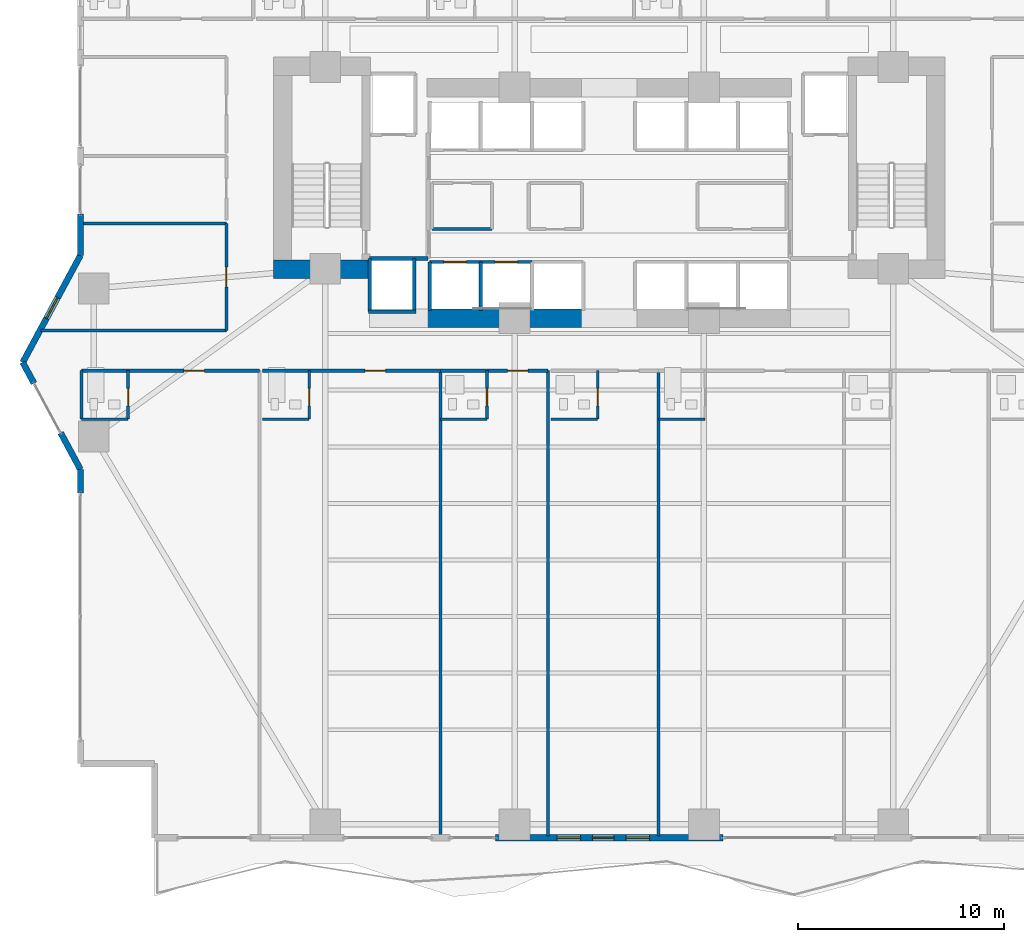
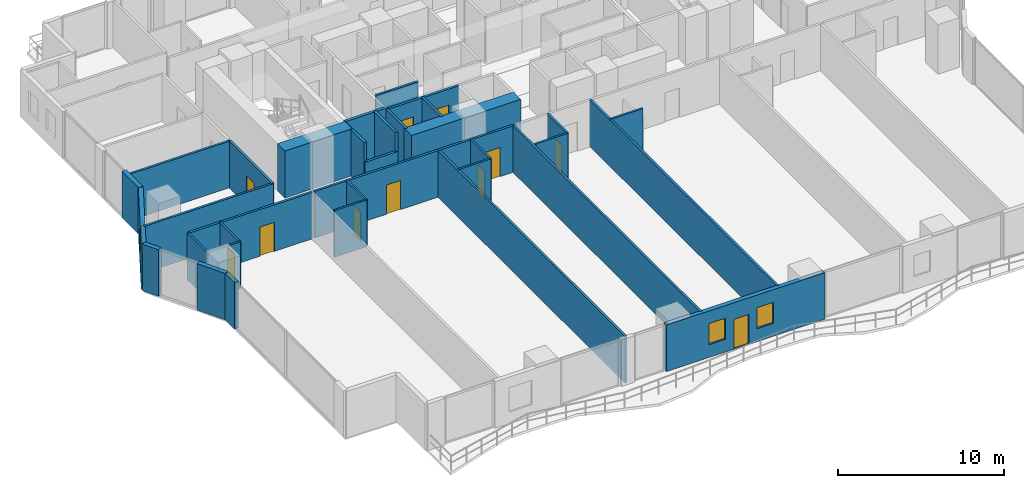
# One storey, part 18 of 29: 36 walls, 11 doors, 3 windows, 14 openings.
"""IFC4 building model written with IfcOpenShell, lengths in metres."""

import ifcopenshell
import ifcopenshell.guid

model = None  # the IFC model being written
_history = None  # IfcOwnerHistory: only IFC2X3 demands one
_inside = {}  # id of a spatial element -> (the spatial element, [elements in it])
_under = {}  # id of a project, library or spatial element -> (it, [spatial elements below it])
_declared = {}  # id of a project -> (the project, [libraries it declares])
_typed = {}  # id of a type object -> (the type object, [elements of that type])
_made_of = {}  # id of a material, layer set ... -> (it, [elements and type objects made of it])


def new_model(schema):
    """Start an empty IFC model of exactly this schema.

    Asked for "IFC4X3", IfcOpenShell would pick the latest addendum, in which some entities
    have other attributes; the version numbers below select the first issue.
    IFC2X3 requires an IfcOwnerHistory on every rooted entity: one is made here for all.
    """
    global model, _history
    if schema == "IFC4X3":
        model = ifcopenshell.file(schema_version=(4, 3, 0, 0))
    else:
        model = ifcopenshell.file(schema=schema)
    _inside.clear()
    _under.clear()
    _declared.clear()
    _typed.clear()
    _made_of.clear()
    _history = None
    if model.schema == "IFC2X3":
        org = make("IfcOrganization", Name="unknown")
        user = make(
            "IfcPersonAndOrganization",
            ThePerson=make("IfcPerson", FamilyName="unknown"),
            TheOrganization=org,
        )
        app = make(
            "IfcApplication",
            ApplicationDeveloper=org,
            Version="unknown",
            ApplicationFullName="unknown",
            ApplicationIdentifier="unknown",
        )
        _history = make(
            "IfcOwnerHistory",
            OwningUser=user,
            OwningApplication=app,
            ChangeAction="ADDED",
            CreationDate=0,
        )
    return model


def make(cls, **values):
    """One entity of the class cls with the attributes given. An attribute that is None is left unset."""
    return model.create_entity(
        cls, **{name: value for name, value in values.items() if value is not None}
    )


def rooted(cls, **values):
    """An entity with a GlobalId (a new one), such as an element, a storey or a relation."""
    return make(cls, GlobalId=ifcopenshell.guid.new(), OwnerHistory=_history, **values)


def si_unit(unit_type, name, prefix=None):
    """IfcSIUnit, for example si_unit("LENGTHUNIT", "METRE", prefix="MILLI")."""
    return make("IfcSIUnit", UnitType=unit_type, Prefix=prefix, Name=name)


def assignment(units):
    """IfcUnitAssignment: the units of a project."""
    return None if units is None else make("IfcUnitAssignment", Units=units)


def point(xyz):
    """IfcCartesianPoint."""
    return None if xyz is None else make("IfcCartesianPoint", Coordinates=xyz)


def direction(xyz):
    """IfcDirection."""
    return None if xyz is None else make("IfcDirection", DirectionRatios=xyz)


def frame(location, z_axis=None, x_axis=None):
    """IfcAxis2Placement3D, a coordinate frame: its origin and axes. An axis left out is left unset."""
    return make(
        "IfcAxis2Placement3D",
        Location=point(location),
        Axis=direction(z_axis),
        RefDirection=direction(x_axis),
    )


def frame_2d(location, x_axis=None):
    """IfcAxis2Placement2D, a coordinate frame in the plane: its origin and x axis."""
    return make(
        "IfcAxis2Placement2D", Location=point(location), RefDirection=direction(x_axis)
    )


def origin():
    """The frame at (0, 0, 0) with its axes left unset."""
    return frame((0.0, 0.0, 0.0))


def place(relative_to, where):
    """IfcLocalPlacement: puts the frame where relative to a parent placement (None: the world)."""
    return make(
        "IfcLocalPlacement", PlacementRelTo=relative_to, RelativePlacement=where
    )


def context(
    kind, dimensions, precision=None, world=None, true_north=None, identifier=None
):
    """IfcGeometricRepresentationContext, for example the 3D "Model" context."""
    return make(
        "IfcGeometricRepresentationContext",
        ContextIdentifier=identifier,
        ContextType=kind,
        CoordinateSpaceDimension=dimensions,
        Precision=precision,
        WorldCoordinateSystem=world,
        TrueNorth=true_north,
    )


def subcontext(parent, identifier, kind, view, scale=None):
    """IfcGeometricRepresentationSubContext, for example "Body" below "Model"."""
    return make(
        "IfcGeometricRepresentationSubContext",
        ContextIdentifier=identifier,
        ContextType=kind,
        ParentContext=parent,
        TargetScale=scale,
        TargetView=view,
    )


def project(units=None, contexts=None):
    """IfcProject with its units and contexts."""
    return rooted(
        "IfcProject",
        Name="project",
        RepresentationContexts=contexts,
        UnitsInContext=assignment(units),
    )


def spatial(cls, under=None, at=None, **own):
    """A site, building, storey or space (cls), placed at a placement, below another one or the project."""
    s = rooted(cls, ObjectPlacement=at, **own)
    if under is not None:
        _under.setdefault(under.id(), (under, []))[1].append(s)
    return s


def profile(cls, at=None, kind="AREA", **sizes):
    """A parametric profile (cls). Its sizes go by their IFC names, for example OverallWidth=200.0."""
    return make(cls, ProfileType=kind, Position=at, **sizes)


def rectangle(**sizes):
    """IfcRectangleProfileDef."""
    return profile("IfcRectangleProfileDef", **sizes)


def extrude(swept, where, along, depth):
    """IfcExtrudedAreaSolid: the profile swept, set in the frame where, extruded along a direction by depth."""
    return make(
        "IfcExtrudedAreaSolid",
        SweptArea=swept,
        Position=where,
        ExtrudedDirection=direction(along),
        Depth=depth,
    )


def shape(context_of_items, identifier, shape_type, items):
    """IfcShapeRepresentation: the items that make up one representation, for example the "Body"."""
    return make(
        "IfcShapeRepresentation",
        ContextOfItems=context_of_items,
        RepresentationIdentifier=identifier,
        RepresentationType=shape_type,
        Items=items,
    )


def material(Name=None, Category=None):
    """IfcMaterial."""
    return make("IfcMaterial", Name=Name, Category=Category)


def layer(
    of_material, thickness, ventilated=None, Name=None, Category=None, Priority=None
):
    """IfcMaterialLayer: one layer of a wall or slab, of a material (None: an air gap)."""
    return make(
        "IfcMaterialLayer",
        Material=of_material,
        LayerThickness=thickness,
        IsVentilated=ventilated,
        Name=Name,
        Category=Category,
        Priority=Priority,
    )


def layer_set(layers, Name=None):
    """IfcMaterialLayerSet."""
    return make("IfcMaterialLayerSet", MaterialLayers=layers, LayerSetName=Name)


def made_of(thing, what):
    """Note that an element or type object is made of a material, layer set ...; save() writes the relation."""
    if what is not None:
        _made_of.setdefault(what.id(), (what, []))[1].append(thing)
    return thing


def type_object(cls, material=None, **own):
    """A type object (cls), such as IfcWallType, which elements share."""
    return made_of(rooted(cls, **own), material)


def element(
    cls,
    number,
    at=None,
    inside=None,
    cuts=None,
    type_object=None,
    material=None,
    context=None,
    identifier="Body",
    shape_type=None,
    held_by="IfcProductDefinitionShape",
    body=None,
    shapes=None,
    **own,
):
    """One element of the class cls, such as IfcWall. Its Tag is "e" and its number.

    at: its placement. inside: the storey or other place that contains it. cuts: it is an
    opening in that element (IfcRelVoidsElement). A single representation is given by context,
    identifier, shape_type and body (its items); several are given by shapes. held_by: the class
    of the entity that holds the representations. save() writes the other relations.
    """
    e = rooted(cls, Tag="e%d" % number, ObjectPlacement=at, **own)
    if body is not None:
        shapes = [shape(context, identifier, shape_type, body)]
    if shapes is not None:
        e.Representation = make(held_by, Representations=shapes)
    if inside is not None:
        _inside.setdefault(inside.id(), (inside, []))[1].append(e)
    if cuts is not None:
        rooted(
            "IfcRelVoidsElement", RelatingBuildingElement=cuts, RelatedOpeningElement=e
        )
    if type_object is not None:
        _typed.setdefault(type_object.id(), (type_object, []))[1].append(e)
    return made_of(e, material)


def fill(opening, filler):
    """IfcRelFillsElement: the door or window that sits in an opening."""
    return rooted(
        "IfcRelFillsElement",
        RelatingOpeningElement=opening,
        RelatedBuildingElement=filler,
    )


def aggregate(whole, parts):
    """IfcRelAggregates: a whole, such as a stair, and the parts it consists of."""
    return rooted("IfcRelAggregates", RelatingObject=whole, RelatedObjects=parts)


def save(model, path):
    """Write the relations noted so far, then the file.

    IfcRelAggregates (storeys below a building ...), IfcRelContainedInSpatialStructure (elements
    in a storey), IfcRelDefinesByType, IfcRelAssociatesMaterial and IfcRelDeclares: one each for
    every whole, place, type object, material and project.
    """
    for whole, parts in _under.values():
        aggregate(whole, parts)
    for where, things in _inside.values():
        rooted(
            "IfcRelContainedInSpatialStructure",
            RelatedElements=things,
            RelatingStructure=where,
        )
    for kind, things in _typed.values():
        rooted("IfcRelDefinesByType", RelatedObjects=things, RelatingType=kind)
    for what, things in _made_of.values():
        rooted("IfcRelAssociatesMaterial", RelatedObjects=things, RelatingMaterial=what)
    for by, libraries in _declared.values():
        rooted("IfcRelDeclares", RelatingContext=by, RelatedDefinitions=libraries)
    model.write(path)


model = new_model("IFC4")

# Units and contexts
model_context = context("Model", 3, precision=1e-05, world=origin(), true_north=direction((0.0, 1.0)))
body_context = subcontext(model_context, "Body", "Model", "MODEL_VIEW")
ifc_project = project(units=[si_unit("LENGTHUNIT", "METRE"), si_unit("AREAUNIT", "SQUARE_METRE"), si_unit("VOLUMEUNIT", "CUBIC_METRE"), si_unit("PLANEANGLEUNIT", "RADIAN"), si_unit("MASSUNIT", "GRAM", prefix="KILO")], contexts=[model_context])

# Site, building, storey
site_placement = place(None, origin())
site = spatial("IfcSite", under=ifc_project, at=site_placement, CompositionType="ELEMENT")
building_placement = place(site_placement, origin())
building = spatial("IfcBuilding", under=site, at=building_placement, Name="Zuhayl Quay Hotel", CompositionType="ELEMENT")
storey_placement = place(building_placement, frame((0.0, 0.0, 42.199951171875)))
storey = spatial("IfcBuildingStorey", under=building, at=storey_placement, Name="L09", CompositionType="ELEMENT", Elevation=42.199951171875)

# Walls
ifc_material_1 = material(Name="Concrete C70/85", Category="concrete")
ifc_layer_1 = layer(ifc_material_1, 0.89990234375, Name="Concrete C70/85", Category="concrete")
ifc_layer_set_1 = layer_set([ifc_layer_1], Name="Concrete C70/85")
wall_type_1 = type_object("IfcWallType", Name="WL_CORE_900", PredefinedType="SHEAR", material=ifc_layer_set_1)
wall_1_placement = place(storey_placement, frame((-16.31005859375, 4.52001953125, 0.0), z_axis=(0.0, 0.0, 1.0), x_axis=(1.0, 0.0, 0.0)))
element("IfcWall", 1, at=wall_1_placement, inside=storey, type_object=wall_type_1, Name="L09 Core Shear Wall CW_SW", PredefinedType="SHEAR", context=body_context, shape_type="SweptSolid", body=[
    extrude(rectangle(XDim=4.7099609375, YDim=0.89990234375, at=frame_2d((2.35498046875, 0.0))), origin(), (0.0, 0.0, 1.0), 3.4599609375),
])
wall_2_placement = place(storey_placement, frame((-8.85009765625, 2.14990234375, 0.0), z_axis=(0.0, 0.0, 1.0), x_axis=(1.0, 0.0, 0.0)))
element("IfcWall", 2, at=wall_2_placement, inside=storey, type_object=wall_type_1, Name="L09 Core Shear Wall CW_SC_W", PredefinedType="SHEAR", context=body_context, shape_type="SweptSolid", body=[
    extrude(rectangle(XDim=7.60009765625, YDim=0.89990234375, at=frame_2d((3.800048828125, 0.0))), origin(), (0.0, 0.0, 1.0), 3.429931640625),
])
ifc_material_2 = material(Name="Precast concrete C45/55", Category="concrete")
ifc_layer_2 = layer(ifc_material_2, 0.300048828125, Name="Precast concrete C45/55", Category="concrete")
ifc_layer_set_2 = layer_set([ifc_layer_2], Name="Precast concrete C45/55")
wall_type_2 = type_object("IfcWallType", Name="WL_EXT_300", PredefinedType="STANDARD", material=ifc_layer_set_2)
wall_3_placement = place(storey_placement, frame((-25.699951171875, -6.35009765625, 0.0), z_axis=(0.0, 0.0, 1.0), x_axis=(0.0, 1.0, 0.0)))
element("IfcWall", 3, at=wall_3_placement, inside=storey, type_object=wall_type_2, Name="L09 Exterior Precast Wall ENV_L09_E02_EW2", PredefinedType="STANDARD", context=body_context, shape_type="SweptSolid", body=[
    extrude(rectangle(XDim=1.150146484375, YDim=0.300048828125, at=frame_2d((0.5751953125, 0.0))), origin(), (0.0, 0.0, 1.0), 3.429931640625),
])
wall_4_placement = place(storey_placement, frame((-25.699951171875, -5.199951171875, 0.0), z_axis=(0.0, 0.0, 1.0), x_axis=(-0.474121438562, 0.88045946045, 0.0)))
element("IfcWall", 4, at=wall_4_placement, inside=storey, type_object=wall_type_2, Name="L09 Exterior Precast Wall ENV_L09_E03_EW1", PredefinedType="STANDARD", context=body_context, shape_type="SweptSolid", body=[
    extrude(rectangle(XDim=2.0205078125, YDim=0.300048828125, at=frame_2d((1.01025390625, 0.0))), origin(), (0.0, 0.0, 1.0), 3.429931640625),
])
wall_5_placement = place(storey_placement, frame((-27.954833984375, -1.012451171875, 0.0), z_axis=(0.0, 0.0, 1.0), x_axis=(-0.474099823035, 0.880471099922, 0.0)))
element("IfcWall", 5, at=wall_5_placement, inside=storey, type_object=wall_type_2, Name="L09 Exterior Precast Wall ENV_L09_E03_EW2", PredefinedType="STANDARD", context=body_context, shape_type="SweptSolid", body=[
    extrude(rectangle(XDim=1.14990234375, YDim=0.300048828125, at=frame_2d((0.574951171875, 0.0))), origin(), (0.0, 0.0, 1.0), 3.429931640625),
])

# Wall, opening, window
wall_6_placement = place(storey_placement, frame((-28.5, 0.0, 0.0), z_axis=(0.0, 0.0, 1.0), x_axis=(0.474109683532, 0.880465790352, 0.0)))
wall_6 = element("IfcWall", 6, at=wall_6_placement, inside=storey, type_object=wall_type_2, Name="L09 Exterior Precast Wall ENV_L09_E04_EW1", PredefinedType="STANDARD", context=body_context, shape_type="SweptSolid", body=[
    extrude(rectangle(XDim=5.906005859375, YDim=0.300048828125, at=frame_2d((2.953125, 0.0))), origin(), (0.0, 0.0, 1.0), 3.429931640625),
])
opening_1_placement = place(wall_6_placement, frame((2.43212890625, 0.0, 0.949951171875)))
opening_1 = element("IfcOpeningElement", 7, at=opening_1_placement, cuts=wall_6, Name="Opening W01N", PredefinedType="OPENING", context=body_context, shape_type="SweptSolid", body=[
    extrude(rectangle(XDim=1.14990234375, YDim=1.550048828125, at=frame_2d((0.574951171875, 0.77490234375))), frame((0.0, 0.159912109375, 0.0), z_axis=(0.0, -1.0, 0.0), x_axis=(1.0, 0.0, 0.0)), (0.0, 0.0, 1.0), 0.320068359375),
])
ifc_material_3 = material(Name="Dark Ceramic-Fritted Solar Glass", Category="glass")
window_type = type_object("IfcWindowType", Name="WN_NOTCH_1350", PartitioningType="SINGLE_PANEL", PredefinedType="WINDOW", material=ifc_material_3)
window_1_placement = place(opening_1_placement, origin())
window_1 = element("IfcWindow", 8, at=window_1_placement, inside=storey, type_object=window_type, Name="L09 Operable Facade Window 1-1", OverallHeight=1.550048828125, OverallWidth=1.14990234375, PartitioningType="SINGLE_PANEL", PredefinedType="WINDOW", context=body_context, shape_type="SweptSolid", body=[
    extrude(rectangle(XDim=1.14990234375, YDim=1.550048828125, at=frame_2d((0.574951171875, 0.77490234375))), frame((0.0, 0.030029296875, 0.0), z_axis=(0.0, -1.0, 0.0), x_axis=(1.0, 0.0, 0.0)), (0.0, 0.0, 1.0), 0.06005859375),
])
fill(opening_1, window_1)

# Wall
wall_7_placement = place(storey_placement, frame((-25.699951171875, 5.199951171875, 0.0), z_axis=(0.0, 0.0, 1.0), x_axis=(0.0, 1.0, 0.0)))
element("IfcWall", 9, at=wall_7_placement, inside=storey, type_object=wall_type_2, Name="L09 Exterior Precast Wall ENV_L09_E05_EW1", PredefinedType="STANDARD", context=body_context, shape_type="SweptSolid", body=[
    extrude(rectangle(XDim=2.0, YDim=0.300048828125, at=frame_2d((1.0, 0.0))), origin(), (0.0, 0.0, 1.0), 3.429931640625),
])

# Wall, openings, door, windows
wall_8_placement = place(storey_placement, frame((5.52001953125, -23.10009765625, 0.0), z_axis=(0.0, 0.0, 1.0), x_axis=(-1.0, 0.0, 0.0)))
wall_8 = element("IfcWall", 10, at=wall_8_placement, inside=storey, type_object=wall_type_2, Name="L09 Exterior Precast Wall ENV_L09_S_EW3", PredefinedType="STANDARD", context=body_context, shape_type="SweptSolid", body=[
    extrude(rectangle(XDim=11.0400390625, YDim=0.300048828125, at=frame_2d((5.52001953125, 0.0))), origin(), (0.0, 0.0, 1.0), 3.429931640625),
])
opening_2_placement = place(wall_8_placement, frame((5.284912109375, 0.0, 0.0)))
opening_2 = element("IfcOpeningElement", 11, at=opening_2_placement, cuts=wall_8, Name="Opening DG1", PredefinedType="OPENING", context=body_context, shape_type="SweptSolid", body=[
    extrude(rectangle(XDim=1.050048828125, YDim=2.199951171875, at=frame_2d((0.52490234375, 1.10009765625))), frame((0.0, 0.159912109375, 0.0), z_axis=(0.0, -1.0, 0.0), x_axis=(1.0, 0.0, 0.0)), (0.0, 0.0, 1.0), 0.320068359375),
])
opening_3_placement = place(wall_8_placement, frame((3.5625, 0.0, 0.949951171875)))
opening_3 = element("IfcOpeningElement", 12, at=opening_3_placement, cuts=wall_8, Name="Opening W01N", PredefinedType="OPENING", context=body_context, shape_type="SweptSolid", body=[
    extrude(rectangle(XDim=1.14990234375, YDim=1.550048828125, at=frame_2d((0.574951171875, 0.77490234375))), frame((0.0, 0.159912109375, 0.0), z_axis=(0.0, -1.0, 0.0), x_axis=(1.0, 0.0, 0.0)), (0.0, 0.0, 1.0), 0.320068359375),
])
opening_4_placement = place(wall_8_placement, frame((6.907470703125, 0.0, 0.949951171875)))
opening_4 = element("IfcOpeningElement", 13, at=opening_4_placement, cuts=wall_8, Name="Opening W01N", PredefinedType="OPENING", context=body_context, shape_type="SweptSolid", body=[
    extrude(rectangle(XDim=1.14990234375, YDim=1.550048828125, at=frame_2d((0.574951171875, 0.77490234375))), frame((0.0, 0.159912109375, 0.0), z_axis=(0.0, -1.0, 0.0), x_axis=(1.0, 0.0, 0.0)), (0.0, 0.0, 1.0), 0.320068359375),
])
ifc_material_4 = material(Name="Anodised Aluminium and Dark Solar Glass", Category="aluminium")
door_type_1 = type_object("IfcDoorType", Name="DR_EXT_TERR_1050", OperationType="NOTDEFINED", PredefinedType="DOOR", material=ifc_material_4)
door_1_placement = place(opening_2_placement, origin())
door_1 = element("IfcDoor", 14, at=door_1_placement, inside=storey, type_object=door_type_1, Name="L09 South Rippling Balcony Door", OperationType="SINGLE_SWING_RIGHT", OverallHeight=2.199951171875, OverallWidth=1.050048828125, PredefinedType="DOOR", context=body_context, shape_type="SweptSolid", body=[
    extrude(rectangle(XDim=1.050048828125, YDim=2.199951171875, at=frame_2d((0.52490234375, 1.10009765625))), frame((0.0, 0.02490234375, 0.0), z_axis=(0.0, -1.0, 0.0), x_axis=(1.0, 0.0, 0.0)), (0.0, 0.0, 1.0), 0.050048828125),
])
fill(opening_2, door_1)
window_2_placement = place(opening_3_placement, origin())
window_2 = element("IfcWindow", 15, at=window_2_placement, inside=storey, type_object=window_type, Name="L09 Operable Facade Window 3-1", OverallHeight=1.550048828125, OverallWidth=1.14990234375, PartitioningType="SINGLE_PANEL", PredefinedType="WINDOW", context=body_context, shape_type="SweptSolid", body=[
    extrude(rectangle(XDim=1.14990234375, YDim=1.550048828125, at=frame_2d((0.574951171875, 0.77490234375))), frame((0.0, 0.030029296875, 0.0), z_axis=(0.0, -1.0, 0.0), x_axis=(1.0, 0.0, 0.0)), (0.0, 0.0, 1.0), 0.06005859375),
])
fill(opening_3, window_2)
window_3_placement = place(opening_4_placement, origin())
window_3 = element("IfcWindow", 16, at=window_3_placement, inside=storey, type_object=window_type, Name="L09 Operable Facade Window 3-2", OverallHeight=1.550048828125, OverallWidth=1.14990234375, PartitioningType="SINGLE_PANEL", PredefinedType="WINDOW", context=body_context, shape_type="SweptSolid", body=[
    extrude(rectangle(XDim=1.14990234375, YDim=1.550048828125, at=frame_2d((0.574951171875, 0.77490234375))), frame((0.0, 0.030029296875, 0.0), z_axis=(0.0, -1.0, 0.0), x_axis=(1.0, 0.0, 0.0)), (0.0, 0.0, 1.0), 0.06005859375),
])
fill(opening_4, window_3)

# Walls
ifc_material_5 = material(Name="Acoustic Gypsum Partition STC-58")
ifc_layer_3 = layer(ifc_material_5, 0.14990234375, Name="Acoustic Gypsum Partition STC-58")
ifc_layer_set_3 = layer_set([ifc_layer_3], Name="Acoustic Gypsum Partition STC-58")
wall_type_3 = type_object("IfcWallType", Name="WL_PART_150", PredefinedType="PARTITIONING", material=ifc_layer_set_3)
wall_9_placement = place(storey_placement, frame((-8.610107421875, 6.47998046875, 0.0), z_axis=(0.0, 0.0, 1.0), x_axis=(1.0, 0.0, 0.0)))
element("IfcWall", 17, at=wall_9_placement, inside=storey, type_object=wall_type_3, Name="L09 Partition IW_L09_CORE_HK_S", PredefinedType="PARTITIONING", context=body_context, shape_type="SweptSolid", body=[
    extrude(rectangle(XDim=2.920166015625, YDim=0.14990234375, at=frame_2d((1.4599609375, 0.0))), origin(), (0.0, 0.0, 1.0), 3.429931640625),
])
for number, where, z_axis, x_axis, name in (
    (18, (-8.199951171875, -23.02001953125, 0.0), (0.0, 0.0, 1.0), (0.0, 1.0, 0.0), "L09 Partition IW_L09_SU01B_E"),
    (19, (-2.97998046875, -23.02001953125, 0.0), (0.0, 0.0, 1.0), (0.0, 1.0, 0.0), "L09 Partition IW_L09_SU02A_E"),
    (20, (2.39990234375, -23.02001953125, 0.0), (0.0, 0.0, 1.0), (0.0, 1.0, 0.0), "L09 Partition IW_L09_SU02B_E"),
):
    element("IfcWall", number, at=place(storey_placement, frame(where, z_axis=z_axis, x_axis=x_axis)), inside=storey, type_object=wall_type_3, Name=name, PredefinedType="PARTITIONING", context=body_context, shape_type="SweptSolid", body=[
        extrude(rectangle(XDim=22.6201171875, YDim=0.14990234375, at=frame_2d((11.31005859375, 0.0))), origin(), (0.0, 0.0, 1.0), 3.429931640625),
    ])
wall_10_placement = place(storey_placement, frame((-27.60546875, 1.550048828125, 0.0), z_axis=(0.0, 0.0, 1.0), x_axis=(1.0, 0.0, 0.0)))
element("IfcWall", 21, at=wall_10_placement, inside=storey, type_object=wall_type_3, Name="L09 Partition IW_L09_WPROW_1_S", PredefinedType="PARTITIONING", context=body_context, shape_type="SweptSolid", body=[
    extrude(rectangle(XDim=9.00537109375, YDim=0.14990234375, at=frame_2d((4.502685546875, 0.0))), origin(), (0.0, 0.0, 1.0), 3.429931640625),
])
wall_11_placement = place(storey_placement, frame((-25.639892578125, 6.75, 0.0), z_axis=(0.0, 0.0, 1.0), x_axis=(1.0, 0.0, 0.0)))
element("IfcWall", 22, at=wall_11_placement, inside=storey, type_object=wall_type_3, Name="L09 Partition IW_L09_WPROW_1_N", PredefinedType="PARTITIONING", context=body_context, shape_type="SweptSolid", body=[
    extrude(rectangle(XDim=7.039794921875, YDim=0.14990234375, at=frame_2d((3.52001953125, 0.0))), origin(), (0.0, 0.0, 1.0), 3.429931640625),
])

# Wall, opening, door
ifc_layer_4 = layer(ifc_material_5, 0.159912109375, Name="Acoustic Gypsum Partition STC-58")
ifc_layer_set_4 = layer_set([ifc_layer_4], Name="Acoustic Gypsum Partition STC-58")
wall_type_4 = type_object("IfcWallType", Name="WL_PART_CORR_160", PredefinedType="PARTITIONING", material=ifc_layer_set_4)
wall_12_placement = place(storey_placement, frame((-25.639892578125, -0.39990234375, 0.0), z_axis=(0.0, 0.0, 1.0), x_axis=(1.0, 0.0, 0.0)))
wall_12 = element("IfcWall", 23, at=wall_12_placement, inside=storey, type_object=wall_type_4, Name="L09 Partition IW_L09_SU01A_COR", PredefinedType="PARTITIONING", context=body_context, shape_type="SweptSolid", body=[
    extrude(rectangle(XDim=8.639892578125, YDim=0.159912109375, at=frame_2d((4.31982421875, 0.0))), origin(), (0.0, 0.0, 1.0), 3.429931640625),
])
opening_5_placement = place(wall_12_placement, frame((4.969970703125, 0.0, 0.0)))
opening_5 = element("IfcOpeningElement", 24, at=opening_5_placement, cuts=wall_12, Name="Opening D03L", PredefinedType="OPENING", context=body_context, shape_type="SweptSolid", body=[
    extrude(rectangle(XDim=1.0, YDim=2.14990234375, at=frame_2d((0.5, 1.074951171875))), frame((0.0, 0.08984375, 0.0), z_axis=(0.0, -1.0, 0.0), x_axis=(1.0, 0.0, 0.0)), (0.0, 0.0, 1.0), 0.179931640625),
])
ifc_material_6 = material(Name="Solid Walnut Acoustic Fire Door")
door_type_2 = type_object("IfcDoorType", Name="DR_SUITE_1000", OperationType="NOTDEFINED", PredefinedType="DOOR", material=ifc_material_6)
door_2_placement = place(opening_5_placement, origin())
door_2 = element("IfcDoor", 25, at=door_2_placement, inside=storey, type_object=door_type_2, Name="L09 City-View Junior Suite L09-01A Entrance Door", OperationType="SINGLE_SWING_LEFT", OverallHeight=2.14990234375, OverallWidth=1.0, PredefinedType="DOOR", context=body_context, shape_type="SweptSolid", body=[
    extrude(rectangle(XDim=1.0, YDim=2.14990234375, at=frame_2d((0.5, 1.074951171875))), frame((0.0, 0.02490234375, 0.0), z_axis=(0.0, -1.0, 0.0), x_axis=(1.0, 0.0, 0.0)), (0.0, 0.0, 1.0), 0.050048828125),
])
fill(opening_5, door_2)

wall_13_placement = place(storey_placement, frame((-16.840087890625, -0.39990234375, 0.0), z_axis=(0.0, 0.0, 1.0), x_axis=(1.0, 0.0, 0.0)))
wall_13 = element("IfcWall", 26, at=wall_13_placement, inside=storey, type_object=wall_type_4, Name="L09 Partition IW_L09_SU01B_COR", PredefinedType="PARTITIONING", context=body_context, shape_type="SweptSolid", body=[
    extrude(rectangle(XDim=8.64013671875, YDim=0.159912109375, at=frame_2d((4.320068359375, 0.0))), origin(), (0.0, 0.0, 1.0), 3.429931640625),
])
opening_6_placement = place(wall_13_placement, frame((4.969970703125, 0.0, 0.0)))
opening_6 = element("IfcOpeningElement", 27, at=opening_6_placement, cuts=wall_13, Name="Opening D03L", PredefinedType="OPENING", context=body_context, shape_type="SweptSolid", body=[
    extrude(rectangle(XDim=1.0, YDim=2.14990234375, at=frame_2d((0.5, 1.074951171875))), frame((0.0, 0.08984375, 0.0), z_axis=(0.0, -1.0, 0.0), x_axis=(1.0, 0.0, 0.0)), (0.0, 0.0, 1.0), 0.179931640625),
])
door_3_placement = place(opening_6_placement, origin())
door_3 = element("IfcDoor", 28, at=door_3_placement, inside=storey, type_object=door_type_2, Name="L09 City-View Junior Suite L09-01B Entrance Door", OperationType="SINGLE_SWING_LEFT", OverallHeight=2.14990234375, OverallWidth=1.0, PredefinedType="DOOR", context=body_context, shape_type="SweptSolid", body=[
    extrude(rectangle(XDim=1.0, YDim=2.14990234375, at=frame_2d((0.5, 1.074951171875))), frame((0.0, 0.02490234375, 0.0), z_axis=(0.0, -1.0, 0.0), x_axis=(1.0, 0.0, 0.0)), (0.0, 0.0, 1.0), 0.050048828125),
])
fill(opening_6, door_3)

wall_14_placement = place(storey_placement, frame((-8.199951171875, -0.39990234375, 0.0), z_axis=(0.0, 0.0, 1.0), x_axis=(1.0, 0.0, 0.0)))
wall_14 = element("IfcWall", 29, at=wall_14_placement, inside=storey, type_object=wall_type_4, Name="L09 Partition IW_L09_SU02A_COR", PredefinedType="PARTITIONING", context=body_context, shape_type="SweptSolid", body=[
    extrude(rectangle(XDim=5.219970703125, YDim=0.159912109375, at=frame_2d((2.60986328125, 0.0))), origin(), (0.0, 0.0, 1.0), 3.429931640625),
])
opening_7_placement = place(wall_14_placement, frame((3.260009765625, 0.0, 0.0)))
opening_7 = element("IfcOpeningElement", 30, at=opening_7_placement, cuts=wall_14, Name="Opening D03L", PredefinedType="OPENING", context=body_context, shape_type="SweptSolid", body=[
    extrude(rectangle(XDim=1.0, YDim=2.14990234375, at=frame_2d((0.5, 1.074951171875))), frame((0.0, 0.08984375, 0.0), z_axis=(0.0, -1.0, 0.0), x_axis=(1.0, 0.0, 0.0)), (0.0, 0.0, 1.0), 0.179931640625),
])
door_4_placement = place(opening_7_placement, origin())
door_4 = element("IfcDoor", 31, at=door_4_placement, inside=storey, type_object=door_type_2, Name="L09 City-View Junior Suite L09-02A Entrance Door", OperationType="SINGLE_SWING_LEFT", OverallHeight=2.14990234375, OverallWidth=1.0, PredefinedType="DOOR", context=body_context, shape_type="SweptSolid", body=[
    extrude(rectangle(XDim=1.0, YDim=2.14990234375, at=frame_2d((0.5, 1.074951171875))), frame((0.0, 0.02490234375, 0.0), z_axis=(0.0, -1.0, 0.0), x_axis=(1.0, 0.0, 0.0)), (0.0, 0.0, 1.0), 0.050048828125),
])
fill(opening_7, door_4)

wall_15_placement = place(storey_placement, frame((-18.60009765625, 1.550048828125, 0.0), z_axis=(0.0, 0.0, 1.0), x_axis=(0.0, 1.0, 0.0)))
wall_15 = element("IfcWall", 32, at=wall_15_placement, inside=storey, type_object=wall_type_4, Name="L09 Partition IW_L09_WPROW_1_E", PredefinedType="PARTITIONING", context=body_context, shape_type="SweptSolid", body=[
    extrude(rectangle(XDim=5.199951171875, YDim=0.159912109375, at=frame_2d((2.60009765625, 0.0))), origin(), (0.0, 0.0, 1.0), 3.429931640625),
])
opening_8_placement = place(wall_15_placement, frame((2.125, 0.0, 0.0)))
opening_8 = element("IfcOpeningElement", 33, at=opening_8_placement, cuts=wall_15, Name="Opening D03", PredefinedType="OPENING", context=body_context, shape_type="SweptSolid", body=[
    extrude(rectangle(XDim=0.949951171875, YDim=2.14990234375, at=frame_2d((0.47509765625, 1.074951171875))), frame((0.0, 0.08984375, 0.0), z_axis=(0.0, -1.0, 0.0), x_axis=(1.0, 0.0, 0.0)), (0.0, 0.0, 1.0), 0.179931640625),
])
door_type_3 = type_object("IfcDoorType", Name="DR_SUITE_950", OperationType="NOTDEFINED", PredefinedType="DOOR", material=ifc_material_6)
door_5_placement = place(opening_8_placement, origin())
door_5 = element("IfcDoor", 34, at=door_5_placement, inside=storey, type_object=door_type_3, Name="L09 West Prow Office L09 Door", OperationType="SINGLE_SWING_RIGHT", OverallHeight=2.14990234375, OverallWidth=0.949951171875, PredefinedType="DOOR", context=body_context, shape_type="SweptSolid", body=[
    extrude(rectangle(XDim=0.949951171875, YDim=2.14990234375, at=frame_2d((0.47509765625, 1.074951171875))), frame((0.0, 0.02490234375, 0.0), z_axis=(0.0, -1.0, 0.0), x_axis=(1.0, 0.0, 0.0)), (0.0, 0.0, 1.0), 0.050048828125),
])
fill(opening_8, door_5)

ifc_material_7 = material(Name="Moisture-Resistant Sanitarychase Gypsum")
ifc_layer_5 = layer(ifc_material_7, 0.135009765625, Name="Moisture-Resistant Sanitarychase Gypsum")
ifc_layer_set_5 = layer_set([ifc_layer_5], Name="Moisture-Resistant Sanitarychase Gypsum")
wall_type_5 = type_object("IfcWallType", Name="WL_PART_PLUMB_150", PredefinedType="PLUMBINGWALL", material=ifc_layer_set_5)
wall_16_placement = place(storey_placement, frame((-23.3798828125, -2.760009765625, 0.0), z_axis=(0.0, 0.0, 1.0), x_axis=(0.0, 1.0, 0.0)))
wall_16 = element("IfcWall", 35, at=wall_16_placement, inside=storey, type_object=wall_type_5, Name="L09 Partition IW_L09_SU01A_BE", PredefinedType="PLUMBINGWALL", context=body_context, shape_type="SweptSolid", body=[
    extrude(rectangle(XDim=2.360107421875, YDim=0.135009765625, at=frame_2d((1.18017578125, 0.0))), origin(), (0.0, 0.0, 1.0), 3.429931640625),
])
opening_9_placement = place(wall_16_placement, frame((0.64990234375, 0.0, 0.0)))
opening_9 = element("IfcOpeningElement", 36, at=opening_9_placement, cuts=wall_16, Name="Opening D04", PredefinedType="OPENING", context=body_context, shape_type="SweptSolid", body=[
    extrude(rectangle(XDim=0.85009765625, YDim=2.10009765625, at=frame_2d((0.425048828125, 1.050048828125))), frame((0.0, 0.077392578125, 0.0), z_axis=(0.0, -1.0, 0.0), x_axis=(1.0, 0.0, 0.0)), (0.0, 0.0, 1.0), 0.155029296875),
])
ifc_material_8 = material(Name="Moisture-Resistant Walnut Veneer")
door_type_4 = type_object("IfcDoorType", Name="DR_BATH_850", OperationType="NOTDEFINED", PredefinedType="DOOR", material=ifc_material_8)
door_6_placement = place(opening_9_placement, origin())
door_6 = element("IfcDoor", 37, at=door_6_placement, inside=storey, type_object=door_type_4, Name="L09 City-View Junior Suite L09-01A En-Suite Door", OperationType="SINGLE_SWING_RIGHT", OverallHeight=2.10009765625, OverallWidth=0.85009765625, PredefinedType="DOOR", context=body_context, shape_type="SweptSolid", body=[
    extrude(rectangle(XDim=0.85009765625, YDim=2.10009765625, at=frame_2d((0.425048828125, 1.050048828125))), frame((0.0, 0.02490234375, 0.0), z_axis=(0.0, -1.0, 0.0), x_axis=(1.0, 0.0, 0.0)), (0.0, 0.0, 1.0), 0.050048828125),
])
fill(opening_9, door_6)

wall_17_placement = place(storey_placement, frame((-14.580078125, -2.760009765625, 0.0), z_axis=(0.0, 0.0, 1.0), x_axis=(0.0, 1.0, 0.0)))
wall_17 = element("IfcWall", 38, at=wall_17_placement, inside=storey, type_object=wall_type_5, Name="L09 Partition IW_L09_SU01B_BE", PredefinedType="PLUMBINGWALL", context=body_context, shape_type="SweptSolid", body=[
    extrude(rectangle(XDim=2.360107421875, YDim=0.135009765625, at=frame_2d((1.18017578125, 0.0))), origin(), (0.0, 0.0, 1.0), 3.429931640625),
])
opening_10_placement = place(wall_17_placement, frame((0.64990234375, 0.0, 0.0)))
opening_10 = element("IfcOpeningElement", 39, at=opening_10_placement, cuts=wall_17, Name="Opening D04", PredefinedType="OPENING", context=body_context, shape_type="SweptSolid", body=[
    extrude(rectangle(XDim=0.85009765625, YDim=2.10009765625, at=frame_2d((0.425048828125, 1.050048828125))), frame((0.0, 0.077392578125, 0.0), z_axis=(0.0, -1.0, 0.0), x_axis=(1.0, 0.0, 0.0)), (0.0, 0.0, 1.0), 0.155029296875),
])
door_7_placement = place(opening_10_placement, origin())
door_7 = element("IfcDoor", 40, at=door_7_placement, inside=storey, type_object=door_type_4, Name="L09 City-View Junior Suite L09-01B En-Suite Door", OperationType="SINGLE_SWING_RIGHT", OverallHeight=2.10009765625, OverallWidth=0.85009765625, PredefinedType="DOOR", context=body_context, shape_type="SweptSolid", body=[
    extrude(rectangle(XDim=0.85009765625, YDim=2.10009765625, at=frame_2d((0.425048828125, 1.050048828125))), frame((0.0, 0.02490234375, 0.0), z_axis=(0.0, -1.0, 0.0), x_axis=(1.0, 0.0, 0.0)), (0.0, 0.0, 1.0), 0.050048828125),
])
fill(opening_10, door_7)

wall_18_placement = place(storey_placement, frame((-5.93994140625, -2.760009765625, 0.0), z_axis=(0.0, 0.0, 1.0), x_axis=(0.0, 1.0, 0.0)))
wall_18 = element("IfcWall", 41, at=wall_18_placement, inside=storey, type_object=wall_type_5, Name="L09 Partition IW_L09_SU02A_BE", PredefinedType="PLUMBINGWALL", context=body_context, shape_type="SweptSolid", body=[
    extrude(rectangle(XDim=2.360107421875, YDim=0.135009765625, at=frame_2d((1.18017578125, 0.0))), origin(), (0.0, 0.0, 1.0), 3.429931640625),
])
opening_11_placement = place(wall_18_placement, frame((0.64990234375, 0.0, 0.0)))
opening_11 = element("IfcOpeningElement", 42, at=opening_11_placement, cuts=wall_18, Name="Opening D04", PredefinedType="OPENING", context=body_context, shape_type="SweptSolid", body=[
    extrude(rectangle(XDim=0.85009765625, YDim=2.10009765625, at=frame_2d((0.425048828125, 1.050048828125))), frame((0.0, 0.077392578125, 0.0), z_axis=(0.0, -1.0, 0.0), x_axis=(1.0, 0.0, 0.0)), (0.0, 0.0, 1.0), 0.155029296875),
])
door_8_placement = place(opening_11_placement, origin())
door_8 = element("IfcDoor", 43, at=door_8_placement, inside=storey, type_object=door_type_4, Name="L09 City-View Junior Suite L09-02A En-Suite Door", OperationType="SINGLE_SWING_RIGHT", OverallHeight=2.10009765625, OverallWidth=0.85009765625, PredefinedType="DOOR", context=body_context, shape_type="SweptSolid", body=[
    extrude(rectangle(XDim=0.85009765625, YDim=2.10009765625, at=frame_2d((0.425048828125, 1.050048828125))), frame((0.0, 0.02490234375, 0.0), z_axis=(0.0, -1.0, 0.0), x_axis=(1.0, 0.0, 0.0)), (0.0, 0.0, 1.0), 0.050048828125),
])
fill(opening_11, door_8)

wall_19_placement = place(storey_placement, frame((-0.56005859375, -2.760009765625, 0.0), z_axis=(0.0, 0.0, 1.0), x_axis=(0.0, 1.0, 0.0)))
wall_19 = element("IfcWall", 44, at=wall_19_placement, inside=storey, type_object=wall_type_5, Name="L09 Partition IW_L09_SU02B_BE", PredefinedType="PLUMBINGWALL", context=body_context, shape_type="SweptSolid", body=[
    extrude(rectangle(XDim=2.360107421875, YDim=0.135009765625, at=frame_2d((1.18017578125, 0.0))), origin(), (0.0, 0.0, 1.0), 3.429931640625),
])
opening_12_placement = place(wall_19_placement, frame((0.64990234375, 0.0, 0.0)))
opening_12 = element("IfcOpeningElement", 45, at=opening_12_placement, cuts=wall_19, Name="Opening D04", PredefinedType="OPENING", context=body_context, shape_type="SweptSolid", body=[
    extrude(rectangle(XDim=0.85009765625, YDim=2.10009765625, at=frame_2d((0.425048828125, 1.050048828125))), frame((0.0, 0.077392578125, 0.0), z_axis=(0.0, -1.0, 0.0), x_axis=(1.0, 0.0, 0.0)), (0.0, 0.0, 1.0), 0.155029296875),
])
door_9_placement = place(opening_12_placement, origin())
door_9 = element("IfcDoor", 46, at=door_9_placement, inside=storey, type_object=door_type_4, Name="L09 City-View Junior Suite L09-02B En-Suite Door", OperationType="SINGLE_SWING_RIGHT", OverallHeight=2.10009765625, OverallWidth=0.85009765625, PredefinedType="DOOR", context=body_context, shape_type="SweptSolid", body=[
    extrude(rectangle(XDim=0.85009765625, YDim=2.10009765625, at=frame_2d((0.425048828125, 1.050048828125))), frame((0.0, 0.02490234375, 0.0), z_axis=(0.0, -1.0, 0.0), x_axis=(1.0, 0.0, 0.0)), (0.0, 0.0, 1.0), 0.050048828125),
])
fill(opening_12, door_9)

# Walls
wall_20_placement = place(storey_placement, frame((-25.639892578125, -2.760009765625, 0.0), z_axis=(0.0, 0.0, 1.0), x_axis=(1.0, 0.0, 0.0)))
element("IfcWall", 47, at=wall_20_placement, inside=storey, type_object=wall_type_5, Name="L09 Partition IW_L09_SU01A_BS", PredefinedType="PLUMBINGWALL", context=body_context, shape_type="SweptSolid", body=[
    extrude(rectangle(XDim=2.260009765625, YDim=0.135009765625, at=frame_2d((1.1298828125, 0.0))), origin(), (0.0, 0.0, 1.0), 3.429931640625),
])
wall_21_placement = place(storey_placement, frame((-25.639892578125, -2.760009765625, 0.0), z_axis=(0.0, 0.0, 1.0), x_axis=(0.0, 1.0, 0.0)))
element("IfcWall", 48, at=wall_21_placement, inside=storey, type_object=wall_type_5, Name="L09 Partition IW_L09_SU01A_BW", PredefinedType="PLUMBINGWALL", context=body_context, shape_type="SweptSolid", body=[
    extrude(rectangle(XDim=2.360107421875, YDim=0.135009765625, at=frame_2d((1.18017578125, 0.0))), origin(), (0.0, 0.0, 1.0), 3.429931640625),
])
for number, where, z_axis, x_axis, name in (
    (49, (-16.840087890625, -2.760009765625, 0.0), (0.0, 0.0, 1.0), (1.0, 0.0, 0.0), "L09 Partition IW_L09_SU01B_BS"),
    (50, (-8.199951171875, -2.760009765625, 0.0), (0.0, 0.0, 1.0), (1.0, 0.0, 0.0), "L09 Partition IW_L09_SU02A_BS"),
    (51, (-2.820068359375, -2.760009765625, 0.0), (0.0, 0.0, 1.0), (1.0, 0.0, 0.0), "L09 Partition IW_L09_SU02B_BS"),
    (52, (2.39990234375, -2.760009765625, 0.0), (0.0, 0.0, 1.0), (1.0, 0.0, 0.0), "L09 Partition IW_L09_SU03_BS"),
):
    element("IfcWall", number, at=place(storey_placement, frame(where, z_axis=z_axis, x_axis=x_axis)), inside=storey, type_object=wall_type_5, Name=name, PredefinedType="PLUMBINGWALL", context=body_context, shape_type="SweptSolid", body=[
        extrude(rectangle(XDim=2.260009765625, YDim=0.135009765625, at=frame_2d((1.1298828125, 0.0))), origin(), (0.0, 0.0, 1.0), 3.429931640625),
    ])

# Wall, opening, door
ifc_material_9 = material(Name="Gypsum Fireboard Assembly EI-90")
ifc_layer_6 = layer(ifc_material_9, 0.1650390625, Name="Gypsum Fireboard Assembly EI-90")
ifc_layer_set_6 = layer_set([ifc_layer_6], Name="Gypsum Fireboard Assembly EI-90")
wall_type_6 = type_object("IfcWallType", Name="WL_PART_SHAFT_160", PredefinedType="PARTITIONING", material=ifc_layer_set_6)
wall_22_placement = place(storey_placement, frame((-8.72998046875, 4.8798828125, 0.0), z_axis=(0.0, 0.0, 1.0), x_axis=(1.0, 0.0, 0.0)))
wall_22 = element("IfcWall", 53, at=wall_22_placement, inside=storey, type_object=wall_type_6, Name="L09 Partition IW_L09_SH_LP1_F", PredefinedType="PARTITIONING", context=body_context, shape_type="SweptSolid", body=[
    extrude(rectangle(XDim=2.47998046875, YDim=0.1650390625, at=frame_2d((1.239990234375, 0.0))), origin(), (0.0, 0.0, 1.0), 3.429931640625),
])
opening_13_placement = place(wall_22_placement, frame((0.68994140625, 0.0, 0.0)))
opening_13 = element("IfcOpeningElement", 54, at=opening_13_placement, cuts=wall_22, Name="Opening LD1", PredefinedType="OPENING", context=body_context, shape_type="SweptSolid", body=[
    extrude(rectangle(XDim=1.10009765625, YDim=2.25, at=frame_2d((0.550048828125, 1.125))), frame((0.0, 0.092529296875, 0.0), z_axis=(0.0, -1.0, 0.0), x_axis=(1.0, 0.0, 0.0)), (0.0, 0.0, 1.0), 0.18505859375),
])
ifc_material_10 = material(Name="Brushed Stainless Steel", Category="steel")
door_type_5 = type_object("IfcDoorType", Name="DR_LIFT_PASS_1100", OperationType="SLIDING_TO_LEFT", PredefinedType="DOOR", material=ifc_material_10)
door_10_placement = place(opening_13_placement, origin())
door_10 = element("IfcDoor", 55, at=door_10_placement, inside=storey, type_object=door_type_5, Name="L09 Lift LP1 Sliding Landing Door", OperationType="SLIDING_TO_LEFT", OverallHeight=2.25, OverallWidth=1.10009765625, PredefinedType="DOOR", context=body_context, shape_type="SweptSolid", body=[
    extrude(rectangle(XDim=1.10009765625, YDim=2.25, at=frame_2d((0.550048828125, 1.125))), frame((0.0, 0.02490234375, 0.0), z_axis=(0.0, -1.0, 0.0), x_axis=(1.0, 0.0, 0.0)), (0.0, 0.0, 1.0), 0.050048828125),
])
fill(opening_13, door_10)

wall_23_placement = place(storey_placement, frame((-6.25, 4.8798828125, 0.0), z_axis=(0.0, 0.0, 1.0), x_axis=(1.0, 0.0, 0.0)))
wall_23 = element("IfcWall", 56, at=wall_23_placement, inside=storey, type_object=wall_type_6, Name="L09 Partition IW_L09_SH_LP2_F", PredefinedType="PARTITIONING", context=body_context, shape_type="SweptSolid", body=[
    extrude(rectangle(XDim=2.5, YDim=0.1650390625, at=frame_2d((1.25, 0.0))), origin(), (0.0, 0.0, 1.0), 3.429931640625),
])
opening_14_placement = place(wall_23_placement, frame((0.699951171875, 0.0, 0.0)))
opening_14 = element("IfcOpeningElement", 57, at=opening_14_placement, cuts=wall_23, Name="Opening LD1", PredefinedType="OPENING", context=body_context, shape_type="SweptSolid", body=[
    extrude(rectangle(XDim=1.10009765625, YDim=2.25, at=frame_2d((0.550048828125, 1.125))), frame((0.0, 0.092529296875, 0.0), z_axis=(0.0, -1.0, 0.0), x_axis=(1.0, 0.0, 0.0)), (0.0, 0.0, 1.0), 0.18505859375),
])
door_11_placement = place(opening_14_placement, origin())
door_11 = element("IfcDoor", 58, at=door_11_placement, inside=storey, type_object=door_type_5, Name="L09 Lift LP2 Sliding Landing Door", OperationType="SLIDING_TO_LEFT", OverallHeight=2.25, OverallWidth=1.10009765625, PredefinedType="DOOR", context=body_context, shape_type="SweptSolid", body=[
    extrude(rectangle(XDim=1.10009765625, YDim=2.25, at=frame_2d((0.550048828125, 1.125))), frame((0.0, 0.02490234375, 0.0), z_axis=(0.0, -1.0, 0.0), x_axis=(1.0, 0.0, 0.0)), (0.0, 0.0, 1.0), 0.050048828125),
])
fill(opening_14, door_11)

# Walls
for number, where, z_axis, x_axis, name in (
    (59, (-8.72998046875, 2.52001953125, 0.0), (0.0, 0.0, 1.0), (0.0, 1.0, 0.0), "L09 Partition IW_L09_SH_LP1_W"),
    (60, (-6.25, 2.52001953125, 0.0), (0.0, 0.0, 1.0), (0.0, 1.0, 0.0), "L09 Partition IW_L09_SH_LP1_E"),
):
    element("IfcWall", number, at=place(storey_placement, frame(where, z_axis=z_axis, x_axis=x_axis)), inside=storey, type_object=wall_type_6, Name=name, PredefinedType="PARTITIONING", context=body_context, shape_type="SweptSolid", body=[
        extrude(rectangle(XDim=2.35986328125, YDim=0.1650390625, at=frame_2d((1.179931640625, 0.0))), origin(), (0.0, 0.0, 1.0), 3.429931640625),
    ])
wall_24_placement = place(storey_placement, frame((-11.6298828125, 2.469970703125, 0.0), z_axis=(0.0, 0.0, 1.0), x_axis=(0.0, 1.0, 0.0)))
element("IfcWall", 61, at=wall_24_placement, inside=storey, type_object=wall_type_6, Name="L09 Partition IW_L09_RISER_W", PredefinedType="PARTITIONING", context=body_context, shape_type="SweptSolid", body=[
    extrude(rectangle(XDim=2.580078125, YDim=0.1650390625, at=frame_2d((1.2900390625, 0.0))), origin(), (0.0, 0.0, 1.0), 3.429931640625),
])
wall_25_placement = place(storey_placement, frame((-11.7099609375, 2.469970703125, 0.0), z_axis=(0.0, 0.0, 1.0), x_axis=(1.0, 0.0, 0.0)))
element("IfcWall", 62, at=wall_25_placement, inside=storey, type_object=wall_type_6, Name="L09 Partition IW_L09_RISER_S", PredefinedType="PARTITIONING", context=body_context, shape_type="SweptSolid", body=[
    extrude(rectangle(XDim=2.31005859375, YDim=0.1650390625, at=frame_2d((1.155029296875, 0.0))), origin(), (0.0, 0.0, 1.0), 2.030029296875),
])
ifc_layer_7 = layer(ifc_material_9, 0.179931640625, Name="Gypsum Fireboard Assembly EI-90")
ifc_layer_set_7 = layer_set([ifc_layer_7], Name="Gypsum Fireboard Assembly EI-90")
wall_type_7 = type_object("IfcWallType", Name="WL_PART_SHAFT_180", PredefinedType="PARTITIONING", material=ifc_layer_set_7)
wall_26_placement = place(storey_placement, frame((-9.469970703125, 2.449951171875, 0.0), z_axis=(0.0, 0.0, 1.0), x_axis=(0.0, 1.0, 0.0)))
element("IfcWall", 63, at=wall_26_placement, inside=storey, type_object=wall_type_7, Name="L09 Partition IW_L09_RISER_E", PredefinedType="PARTITIONING", context=body_context, shape_type="SweptSolid", body=[
    extrude(rectangle(XDim=2.60009765625, YDim=0.179931640625, at=frame_2d((1.300048828125, 0.0))), origin(), (0.0, 0.0, 1.0), 3.429931640625),
])
ifc_material_11 = material(Name="Gypsum Fireboard Assembly EI-120")
ifc_layer_8 = layer(ifc_material_11, 0.199951171875, Name="Gypsum Fireboard Assembly EI-120")
ifc_layer_set_8 = layer_set([ifc_layer_8], Name="Gypsum Fireboard Assembly EI-120")
wall_type_8 = type_object("IfcWallType", Name="WL_PART_SHAFT_200", PredefinedType="PARTITIONING", material=ifc_layer_set_8)
wall_27_placement = place(storey_placement, frame((-11.64990234375, 5.050048828125, 0.0), z_axis=(0.0, 0.0, 1.0), x_axis=(1.0, 0.0, 0.0)))
element("IfcWall", 64, at=wall_27_placement, inside=storey, type_object=wall_type_8, Name="L09 Partition IW_L09_FSAE_W_S", PredefinedType="PARTITIONING", context=body_context, shape_type="SweptSolid", body=[
    extrude(rectangle(XDim=2.849853515625, YDim=0.199951171875, at=frame_2d((1.4248046875, 0.0))), origin(), (0.0, 0.0, 1.0), 3.429931640625),
])

save(model, "model.ifc")
